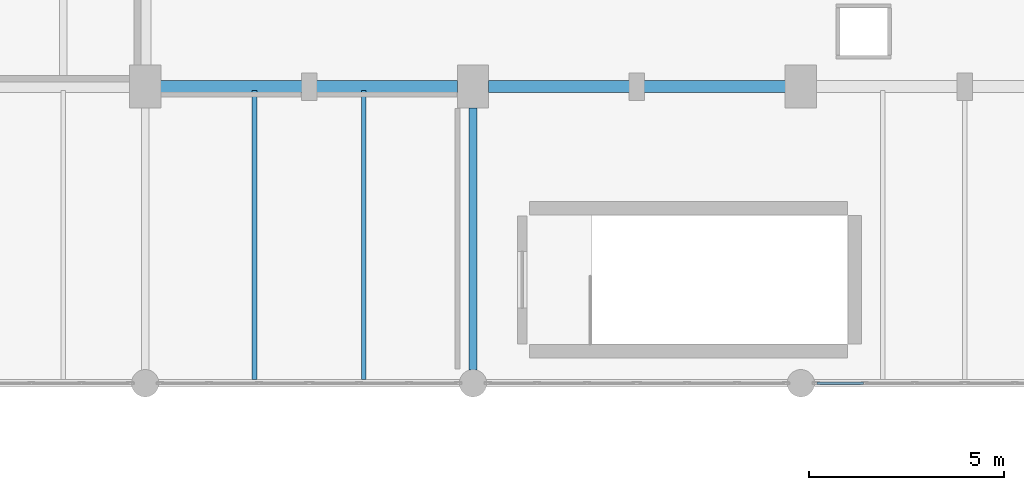
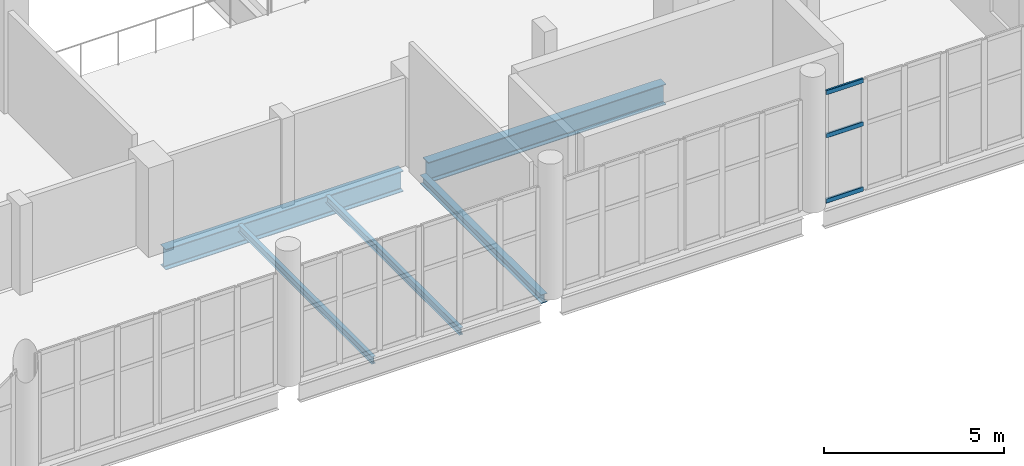
# One storey, part 37 of 74: 5 beams, 3 members, 1 element without a shape of its own.
"""IFC4 building model written with IfcOpenShell, lengths in metres."""

from ifc_helpers import new_model, si_unit, direction, frame, origin, origin_2d, place, context, subcontext, project, spatial, hollow_rectangle, i_section, extrude, material, material_profile, profile_set, type_object, element, aggregate, save


model = new_model("IFC4")

# Units and contexts
model_context = context("Model", 3, precision=1e-05, world=origin(), true_north=direction((0.0, 1.0)))
body_context = subcontext(model_context, "Body", "Model", "MODEL_VIEW")
ifc_project = project(units=[si_unit("LENGTHUNIT", "METRE"), si_unit("AREAUNIT", "SQUARE_METRE"), si_unit("VOLUMEUNIT", "CUBIC_METRE"), si_unit("PLANEANGLEUNIT", "RADIAN"), si_unit("MASSUNIT", "GRAM", prefix="KILO")], contexts=[model_context])

# Site, building, storey
site_placement = place(None, origin())
site = spatial("IfcSite", under=ifc_project, at=site_placement, CompositionType="ELEMENT")
building_placement = place(site_placement, origin())
building = spatial("IfcBuilding", under=site, at=building_placement, Name="Shengluoqiao Park Theatre", CompositionType="ELEMENT")
storey_placement = place(building_placement, frame((0.0, 0.0, 14.60009765625)))
storey = spatial("IfcBuildingStorey", under=building, at=storey_placement, Name="L03", CompositionType="ELEMENT", Elevation=14.60009765625)

# Curtain wall, members
ifc_material_1 = material(Name="Aluminium 6063-T6", Category="aluminium")
curtain_wall_type = type_object("IfcCurtainWallType", Name="ENV-CW-PROM", PredefinedType="NOTDEFINED", material=ifc_material_1)
curtain_wall_placement = place(storey_placement, origin())
curtain_wall = element("IfcCurtainWall", 1, at=curtain_wall_placement, inside=storey, type_object=curtain_wall_type, Name="L03 Curtain Wall CW-L03-0089", PredefinedType="NOTDEFINED")
ifc_material_profile_1 = material_profile(ifc_material_1, hollow_rectangle(XDim=0.06494140625, YDim=0.14990234375, WallThickness=0.00390625, InnerFilletRadius=0.00390625, OuterFilletRadius=0.008056640625, at=origin_2d()), Name="ALU TRANSOM 150x65x4")
ifc_profile_set_1 = profile_set([ifc_material_profile_1], Name="Aluminium 6063-T6")
member_type = type_object("IfcMemberType", Name="ENV-TRN-150", PredefinedType="USERDEFINED", material=ifc_profile_set_1)
member_1_placement = place(storey_placement, frame((78.4189453125, 68.39990234375, 0.032470703125), z_axis=(1.0, 0.0, 0.0), x_axis=(0.0, 1.0, 0.0)))
member_1 = element("IfcMember", 2, at=member_1_placement, type_object=member_type, Name="CW-04 transom 1.1", ObjectType="TRANSOM", PredefinedType="USERDEFINED", context=body_context, shape_type="SweptSolid", body=[
    extrude(hollow_rectangle(XDim=0.06494140625, YDim=0.14990234375, WallThickness=0.00390625, InnerFilletRadius=0.00390625, OuterFilletRadius=0.008056640625, at=origin_2d()), origin(), (0.0, 0.0, 1.0), 1.1845703125),
])
member_2_placement = place(storey_placement, frame((78.4189453125, 68.39990234375, 2.239013671875), z_axis=(1.0, 0.0, 0.0), x_axis=(0.0, 1.0, 0.0)))
member_2 = element("IfcMember", 3, at=member_2_placement, type_object=member_type, Name="CW-04 transom 1.2", ObjectType="TRANSOM", PredefinedType="USERDEFINED", context=body_context, shape_type="SweptSolid", body=[
    extrude(hollow_rectangle(XDim=0.06494140625, YDim=0.14990234375, WallThickness=0.00390625, InnerFilletRadius=0.00390625, OuterFilletRadius=0.008056640625, at=origin_2d()), origin(), (0.0, 0.0, 1.0), 1.1845703125),
])
member_3_placement = place(storey_placement, frame((78.4189453125, 68.39990234375, 3.699462890625), z_axis=(1.0, 0.0, 0.0), x_axis=(0.0, 1.0, 0.0)))
member_3 = element("IfcMember", 4, at=member_3_placement, type_object=member_type, Name="CW-04 transom 1.3", ObjectType="TRANSOM", PredefinedType="USERDEFINED", context=body_context, shape_type="SweptSolid", body=[
    extrude(hollow_rectangle(XDim=0.06494140625, YDim=0.14990234375, WallThickness=0.00390625, InnerFilletRadius=0.00390625, OuterFilletRadius=0.008056640625, at=origin_2d()), origin(), (0.0, 0.0, 1.0), 1.1845703125),
])
aggregate(curtain_wall, [member_1, member_2, member_3])

# Beams
ifc_material_2 = material(Name="Steel Q355", Category="steel")
ifc_material_profile_2 = material_profile(ifc_material_2, i_section(OverallWidth=0.199951171875, OverallDepth=0.2939453125, WebThickness=0.008056640625, FlangeThickness=0.011962890625, FilletRadius=0.01611328125, at=origin_2d()), Name="HM 294x200x8x12")
ifc_profile_set_2 = profile_set([ifc_material_profile_2], Name="Steel Q355")
beam_type_1 = type_object("IfcBeamType", Name="STR-BM-G-HM294", PredefinedType="BEAM", material=ifc_profile_set_2)
beam_placement = place(storey_placement, frame((69.60009765625, 68.743896484375, -0.397216796875), z_axis=(0.0, 1.0, 0.0), x_axis=(-1.0, 0.0, 0.0)))
element("IfcBeam", 5, at=beam_placement, inside=storey, type_object=beam_type_1, Name="L03 Transverse Girder 01360", PredefinedType="BEAM", context=body_context, shape_type="SweptSolid", body=[
    extrude(i_section(OverallWidth=0.199951171875, OverallDepth=0.2939453125, WebThickness=0.008056640625, FlangeThickness=0.011962890625, FilletRadius=0.01611328125, at=origin_2d()), origin(), (0.0, 0.0, 1.0), 6.712158203125),
])
ifc_material_3 = material(Name="Steel Q390", Category="steel")
ifc_material_profile_3 = material_profile(ifc_material_3, i_section(OverallWidth=0.300048828125, OverallDepth=0.699951171875, WebThickness=0.012939453125, FlangeThickness=0.02392578125, FilletRadius=0.02392578125, at=origin_2d()), Name="HN 700x300x13x24")
ifc_profile_set_3 = profile_set([ifc_material_profile_3], Name="Steel Q390")
beam_type_2 = type_object("IfcBeamType", Name="STR-BM-G-HN700", PredefinedType="BEAM", material=ifc_profile_set_3)
for number, where, z_axis, x_axis, name in (
    (6, (61.593994140625, 76.0, -0.60009765625), (1.0, 0.0, 0.0), (0.0, 1.0, 0.0), "L03 Primary Girder 01246"),
    (7, (69.993896484375, 76.0, -0.60009765625), (1.0, 0.0, 0.0), (0.0, 1.0, 0.0), "L03 Primary Girder 01247"),
):
    element("IfcBeam", number, at=place(storey_placement, frame(where, z_axis=z_axis, x_axis=x_axis)), inside=storey, type_object=beam_type_2, Name=name, PredefinedType="BEAM", context=body_context, shape_type="SweptSolid", body=[
        extrude(i_section(OverallWidth=0.300048828125, OverallDepth=0.699951171875, WebThickness=0.012939453125, FlangeThickness=0.02392578125, FilletRadius=0.02392578125, at=origin_2d()), origin(), (0.0, 0.0, 1.0), 7.612060546875),
    ])
ifc_material_profile_4 = material_profile(ifc_material_2, i_section(OverallWidth=0.125, OverallDepth=0.25, WebThickness=0.006103515625, FlangeThickness=0.009033203125, FilletRadius=0.010009765625, at=origin_2d()), Name="HN 250x125x6x9")
ifc_profile_set_4 = profile_set([ifc_material_profile_4], Name="Steel Q355")
beam_type_3 = type_object("IfcBeamType", Name="STR-BM-J-HN250", PredefinedType="JOIST", material=ifc_profile_set_4)
for number, where, z_axis, x_axis, name in (
    (8, (64.0, 68.494384765625, -0.375), (0.0, 1.0, 0.0), (-1.0, 0.0, 0.0), "L03 Composite Joist 01367"),
    (9, (66.800048828125, 68.494384765625, -0.375), (0.0, 1.0, 0.0), (-1.0, 0.0, 0.0), "L03 Composite Joist 01368"),
):
    element("IfcBeam", number, at=place(storey_placement, frame(where, z_axis=z_axis, x_axis=x_axis)), inside=storey, type_object=beam_type_3, Name=name, PredefinedType="JOIST", context=body_context, shape_type="SweptSolid", body=[
        extrude(i_section(OverallWidth=0.125, OverallDepth=0.25, WebThickness=0.006103515625, FlangeThickness=0.009033203125, FilletRadius=0.010009765625, at=origin_2d()), origin(), (0.0, 0.0, 1.0), 7.4111328125),
    ])

save(model, "model.ifc")
